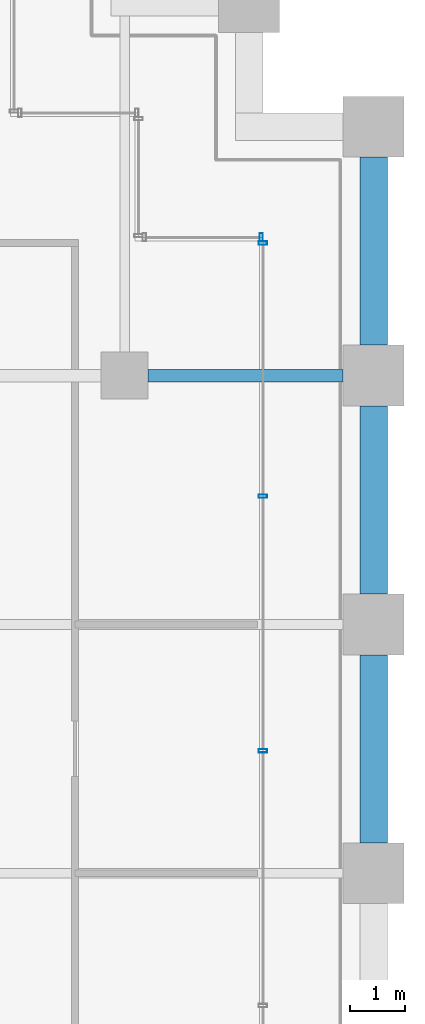
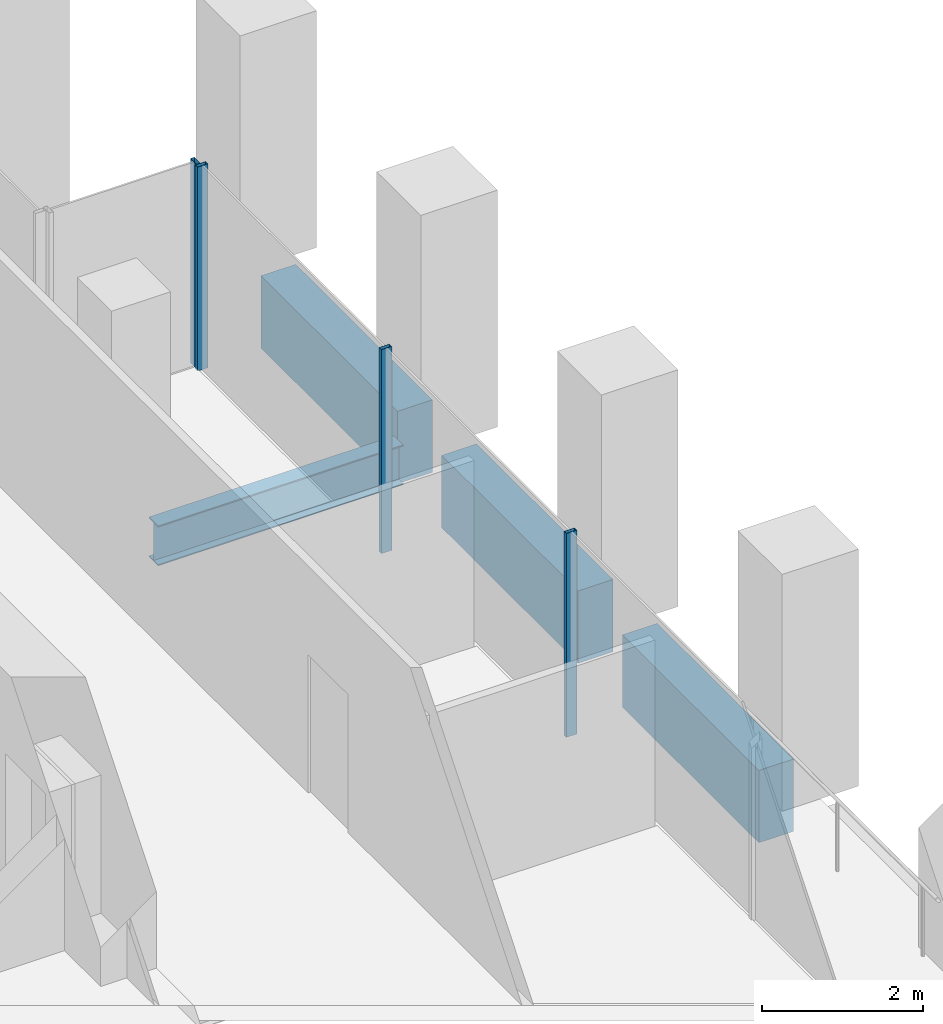
# One storey, part 47 of 56: 4 beams, 4 members, 2 elements without a shape of their own.
"""IFC4 building model written with IfcOpenShell, lengths in metres."""

from ifc_helpers import new_model, si_unit, direction, frame, origin, origin_2d, place, context, subcontext, project, spatial, rectangle, hollow_rectangle, i_section, extrude, material, material_profile, profile_set, type_object, element, aggregate, save


model = new_model("IFC4")

# Units and contexts
model_context = context("Model", 3, precision=1e-05, world=origin(), true_north=direction((0.0, 1.0)))
body_context = subcontext(model_context, "Body", "Model", "MODEL_VIEW")
ifc_project = project(units=[si_unit("LENGTHUNIT", "METRE"), si_unit("AREAUNIT", "SQUARE_METRE"), si_unit("VOLUMEUNIT", "CUBIC_METRE"), si_unit("PLANEANGLEUNIT", "RADIAN"), si_unit("MASSUNIT", "GRAM", prefix="KILO")], contexts=[model_context])

# Site, building, storey
site_placement = place(None, origin())
site = spatial("IfcSite", under=ifc_project, at=site_placement, CompositionType="ELEMENT")
building_placement = place(site_placement, origin())
building = spatial("IfcBuilding", under=site, at=building_placement, Name="Altepetl Exchange Towers", CompositionType="ELEMENT")
storey_placement = place(building_placement, frame((0.0, 0.0, 72.60009765625)))
storey = spatial("IfcBuildingStorey", under=building, at=storey_placement, Name="L17", CompositionType="ELEMENT", Elevation=72.60009765625)

# Beam
ifc_material_1 = material(Name="Steel S355", Category="steel")
ifc_material_profile_1 = material_profile(ifc_material_1, i_section(OverallWidth=0.22802734375, OverallDepth=0.60791015625, WebThickness=0.01123046875, FlangeThickness=0.017333984375, at=origin_2d()), Name="W24X76")
ifc_profile_set_1 = profile_set([ifc_material_profile_1], Name="Steel S355")
beam_type_1 = type_object("IfcBeamType", Name="Girder W24X76", PredefinedType="BEAM", material=ifc_profile_set_1)
beam_1_placement = place(storey_placement, frame((121.925048828125, 49.5, -0.4541015625), z_axis=(1.0, 0.0, 0.0), x_axis=(0.0, 1.0, 0.0)))
element("IfcBeam", 1, at=beam_1_placement, inside=storey, type_object=beam_type_1, Name="gd:B:L17:001", PredefinedType="BEAM", context=body_context, shape_type="SweptSolid", body=[
    extrude(i_section(OverallWidth=0.22802734375, OverallDepth=0.60791015625, WebThickness=0.01123046875, FlangeThickness=0.017333984375, at=origin_2d()), origin(), (0.0, 0.0, 1.0), 3.52490234375),
])

# Curtain wall, members
ifc_material_2 = material(Name="Aluminium 6063-T6 glazing", Category="aluminium")
curtain_wall_type = type_object("IfcCurtainWallType", Name="Loggia glazing system", PredefinedType="NOTDEFINED", material=ifc_material_2)
curtain_wall_1_placement = place(storey_placement, origin())
curtain_wall_1 = element("IfcCurtainWall", 2, at=curtain_wall_1_placement, inside=storey, type_object=curtain_wall_type, Name="CW1 run", PredefinedType="NOTDEFINED")
ifc_material_3 = material(Name="Aluminium 6063-T6", Category="aluminium")
ifc_material_profile_2 = material_profile(ifc_material_3, hollow_rectangle(XDim=0.06005859375, YDim=0.14990234375, WallThickness=0.0029296875, at=origin_2d()), Name="Mullion 60x150 aluminium")
ifc_profile_set_2 = profile_set([ifc_material_profile_2], Name="Aluminium 6063-T6")
member_type = type_object("IfcMemberType", Name="Mullion 60x150 aluminium", PredefinedType="MULLION", material=ifc_profile_set_2)
member_1_placement = place(storey_placement, frame((124.0, 42.71240234375, 0.0), z_axis=(0.0, 0.0, 1.0), x_axis=(0.0, 1.0, 0.0)))
member_1 = element("IfcMember", 3, at=member_1_placement, type_object=member_type, Name="MU1 mullion", PredefinedType="MULLION", context=body_context, shape_type="SweptSolid", body=[
    extrude(hollow_rectangle(XDim=0.06005859375, YDim=0.14990234375, WallThickness=0.0029296875, at=origin_2d()), origin(), (0.0, 0.0, 1.0), 3.099853515625),
])
member_2_placement = place(storey_placement, frame((124.0, 47.31884765625, 0.0), z_axis=(0.0, 0.0, 1.0), x_axis=(0.0, 1.0, 0.0)))
member_2 = element("IfcMember", 4, at=member_2_placement, type_object=member_type, Name="MU1 mullion", PredefinedType="MULLION", context=body_context, shape_type="SweptSolid", body=[
    extrude(hollow_rectangle(XDim=0.06005859375, YDim=0.14990234375, WallThickness=0.0029296875, at=origin_2d()), origin(), (0.0, 0.0, 1.0), 3.099853515625),
])
member_3_placement = place(storey_placement, frame((124.0, 51.89501953125, 0.0), z_axis=(0.0, 0.0, 1.0), x_axis=(0.0, 1.0, 0.0)))
member_3 = element("IfcMember", 5, at=member_3_placement, type_object=member_type, Name="MU1 mullion", PredefinedType="MULLION", context=body_context, shape_type="SweptSolid", body=[
    extrude(hollow_rectangle(XDim=0.06005859375, YDim=0.14990234375, WallThickness=0.0029296875, at=origin_2d()), origin(), (0.0, 0.0, 1.0), 3.099853515625),
])
aggregate(curtain_wall_1, [member_1, member_2, member_3])

# Curtain wall, member
curtain_wall_2_placement = place(storey_placement, origin())
curtain_wall_2 = element("IfcCurtainWall", 6, at=curtain_wall_2_placement, inside=storey, type_object=curtain_wall_type, Name="CW1 run", PredefinedType="NOTDEFINED")
member_4_placement = place(storey_placement, frame((123.969970703125, 52.0, 0.0), z_axis=(0.0, 0.0, 1.0), x_axis=(-1.0, 0.0, 0.0)))
member_4 = element("IfcMember", 7, at=member_4_placement, type_object=member_type, Name="MU1 mullion", PredefinedType="MULLION", context=body_context, shape_type="SweptSolid", body=[
    extrude(hollow_rectangle(XDim=0.06005859375, YDim=0.14990234375, WallThickness=0.0029296875, at=origin_2d()), origin(), (0.0, 0.0, 1.0), 3.099853515625),
])
aggregate(curtain_wall_2, [member_4])

# Beams
ifc_material_4 = material(Name="Concrete C50/60 precast with cantera amarilla facing", Category="concrete")
ifc_material_profile_3 = material_profile(ifc_material_4, rectangle(XDim=0.5, YDim=1.10009765625, at=origin_2d()), Name="500 x 1100")
ifc_profile_set_3 = profile_set([ifc_material_profile_3], Name="Concrete C50/60 precast with cantera amarilla facing")
beam_type_2 = type_object("IfcBeamType", Name="Spandrel beam 500x1100 cantera amarilla", PredefinedType="SPANDREL", material=ifc_profile_set_3)
beam_2_placement = place(storey_placement, frame((126.0, 50.050048828125, -0.7001953125), z_axis=(0.0, 1.0, 0.0), x_axis=(-1.0, 0.0, 0.0)))
element("IfcBeam", 8, at=beam_2_placement, inside=storey, type_object=beam_type_2, Name="sp:B:L17:013", PredefinedType="SPANDREL", context=body_context, shape_type="SweptSolid", body=[
    extrude(rectangle(XDim=0.5, YDim=1.10009765625, at=origin_2d()), origin(), (0.0, 0.0, 1.0), 3.39990234375),
])
ifc_material_5 = material(Name="Concrete C50/60 precast with cantera blanca facing", Category="concrete")
ifc_material_profile_4 = material_profile(ifc_material_5, rectangle(XDim=0.5, YDim=1.10009765625, at=origin_2d()), Name="500 x 1100")
ifc_profile_set_4 = profile_set([ifc_material_profile_4], Name="Concrete C50/60 precast with cantera blanca facing")
beam_type_3 = type_object("IfcBeamType", Name="Spandrel beam 500x1100 cantera blanca", PredefinedType="SPANDREL", material=ifc_profile_set_4)
for number, where, z_axis, x_axis, name in (
    (9, (126.0, 41.050048828125, -0.7001953125), (0.0, 1.0, 0.0), (-1.0, 0.0, 0.0), "sp:B:L17:011"),
    (10, (126.0, 45.550048828125, -0.7001953125), (0.0, 1.0, 0.0), (-1.0, 0.0, 0.0), "sp:B:L17:012"),
):
    element("IfcBeam", number, at=place(storey_placement, frame(where, z_axis=z_axis, x_axis=x_axis)), inside=storey, type_object=beam_type_3, Name=name, PredefinedType="SPANDREL", context=body_context, shape_type="SweptSolid", body=[
        extrude(rectangle(XDim=0.5, YDim=1.10009765625, at=origin_2d()), origin(), (0.0, 0.0, 1.0), 3.39990234375),
    ])

save(model, "model.ifc")
